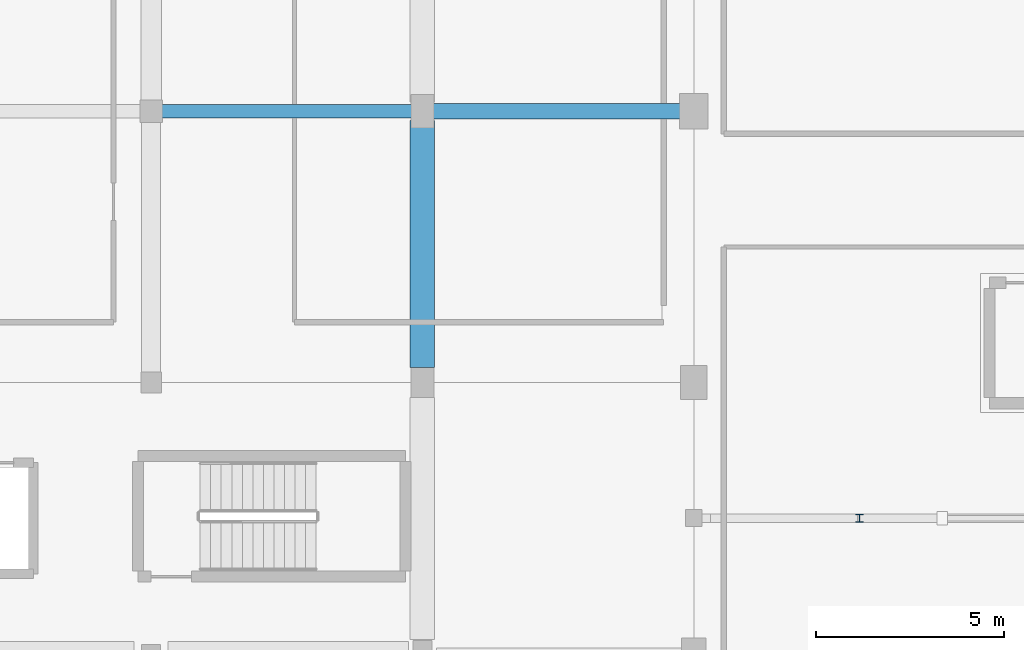
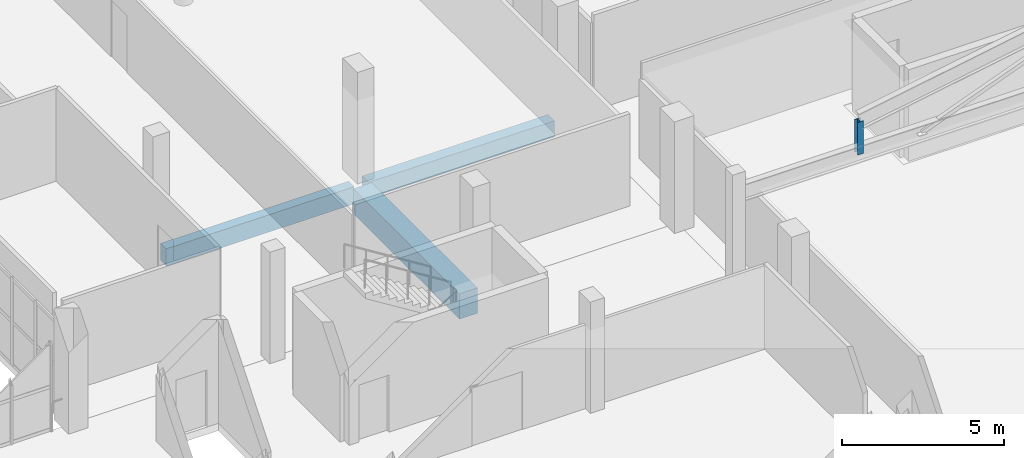
# One storey, part 28 of 92: 3 beams, 1 member.
"""IFC4 building model written with IfcOpenShell, lengths in metres."""

from ifc_helpers import new_model, si_unit, direction, frame, origin, origin_2d, place, context, subcontext, project, spatial, rectangle, i_section, extrude, material, material_profile, profile_set, type_object, element, save


model = new_model("IFC4")

# Units and contexts
model_context = context("Model", 3, precision=1e-05, world=origin(), true_north=direction((0.0, 1.0)))
body_context = subcontext(model_context, "Body", "Model", "MODEL_VIEW")
ifc_project = project(units=[si_unit("LENGTHUNIT", "METRE"), si_unit("AREAUNIT", "SQUARE_METRE"), si_unit("VOLUMEUNIT", "CUBIC_METRE"), si_unit("PLANEANGLEUNIT", "RADIAN"), si_unit("MASSUNIT", "GRAM", prefix="KILO")], contexts=[model_context])

# Site, building, storey
site_placement = place(None, origin())
site = spatial("IfcSite", under=ifc_project, at=site_placement, CompositionType="ELEMENT")
building_placement = place(site_placement, origin())
building = spatial("IfcBuilding", under=site, at=building_placement, Name="Solanera Park Tramway Depot", CompositionType="ELEMENT")
storey_placement = place(building_placement, frame((0.0, 0.0, 4.800048828125)))
storey = spatial("IfcBuildingStorey", under=building, at=storey_placement, Name="L01", CompositionType="ELEMENT", Elevation=4.800048828125)

# Beams
ifc_material_1 = material(Name="Concrete N40 (C40/50)", Category="concrete")
ifc_material_profile_1 = material_profile(ifc_material_1, rectangle(XDim=0.35009765625, YDim=0.64990234375, at=origin_2d()), Name="RCB 350x650")
ifc_profile_set_1 = profile_set([ifc_material_profile_1], Name="Concrete N40 (C40/50)")
beam_type_1 = type_object("IfcBeamType", Name="RC Floor Beam RCB 350x650", PredefinedType="BEAM", material=ifc_profile_set_1)
beam_1_placement = place(storey_placement, frame((173.050048828125, 32.39990234375, -0.60400390625), z_axis=(1.0, 0.0, 0.0), x_axis=(0.0, 1.0, 0.0)))
element("IfcBeam", 1, at=beam_1_placement, inside=storey, type_object=beam_type_1, Name="L01 Primary X-Girder RCB 350x650 #0023", PredefinedType="BEAM", context=body_context, shape_type="SweptSolid", body=[
    extrude(rectangle(XDim=0.35009765625, YDim=0.64990234375, at=origin_2d()), origin(), (0.0, 0.0, 1.0), 6.699951171875),
])
ifc_material_2 = material(Name="Concrete N40 (C40/50)", Category="concrete")
ifc_material_profile_2 = material_profile(ifc_material_2, rectangle(XDim=0.39990234375, YDim=0.60009765625, at=origin_2d()), Name="RCB 400x600")
ifc_profile_set_2 = profile_set([ifc_material_profile_2], Name="Concrete N40 (C40/50)")
beam_type_2 = type_object("IfcBeamType", Name="RC Floor Beam RCB 400x600", PredefinedType="BEAM", material=ifc_profile_set_2)
beam_2_placement = place(storey_placement, frame((180.25, 32.39990234375, -0.5791015625), z_axis=(1.0, 0.0, 0.0), x_axis=(0.0, 1.0, 0.0)))
element("IfcBeam", 2, at=beam_2_placement, inside=storey, type_object=beam_type_2, Name="L01 Primary X-Girder RCB 400x600 #0024", PredefinedType="BEAM", context=body_context, shape_type="SweptSolid", body=[
    extrude(rectangle(XDim=0.39990234375, YDim=0.60009765625, at=origin_2d()), origin(), (0.0, 0.0, 1.0), 6.625),
])
ifc_material_3 = material(Name="Concrete N40 (C40/50)", Category="concrete")
ifc_material_profile_3 = material_profile(ifc_material_3, rectangle(XDim=0.64990234375, YDim=0.949951171875, at=origin_2d()), Name="RCB 650x950")
ifc_profile_set_3 = profile_set([ifc_material_profile_3], Name="Concrete N40 (C40/50)")
beam_type_3 = type_object("IfcBeamType", Name="RC Floor Beam RCB 650x950", PredefinedType="BEAM", material=ifc_profile_set_3)
beam_3_placement = place(storey_placement, frame((180.0, 25.60009765625, -0.754150390625), z_axis=(0.0, 1.0, 0.0), x_axis=(-1.0, 0.0, 0.0)))
element("IfcBeam", 3, at=beam_3_placement, inside=storey, type_object=beam_type_3, Name="L01 Primary Y-Girder RCB 650x950 #0074", PredefinedType="BEAM", context=body_context, shape_type="SweptSolid", body=[
    extrude(rectangle(XDim=0.64990234375, YDim=0.949951171875, at=origin_2d()), origin(), (0.0, 0.0, 1.0), 6.5498046875),
])

# Member
ifc_material_4 = material(Name="Steel AS/NZS 3679.1 Grade 350", Category="steel")
ifc_material_profile_4 = material_profile(ifc_material_4, i_section(OverallWidth=0.205078125, OverallDepth=0.209716796875, WebThickness=0.00927734375, FlangeThickness=0.01416015625, at=origin_2d()), Name="200UC59.5")
ifc_profile_set_4 = profile_set([ifc_material_profile_4], Name="Steel AS/NZS 3679.1 Grade 350")
member_type = type_object("IfcMemberType", Name="Roof Gantry Compression Strut 200UC59.5", PredefinedType="STRUT", material=ifc_profile_set_4)
member_placement = place(storey_placement, frame((191.60009765625, 21.60009765625, 3.299072265625), z_axis=(0.0, 0.0, 1.0), x_axis=(1.0, 0.0, 0.0)))
element("IfcMember", 4, at=member_placement, inside=storey, type_object=member_type, Name="Hip ROOF TRUSS Heel Post #0176", PredefinedType="STRUT", context=body_context, shape_type="SweptSolid", body=[
    extrude(i_section(OverallWidth=0.205078125, OverallDepth=0.209716796875, WebThickness=0.00927734375, FlangeThickness=0.01416015625, at=origin_2d()), origin(), (0.0, 0.0, 1.0), 1.2265625),
])

save(model, "model.ifc")
